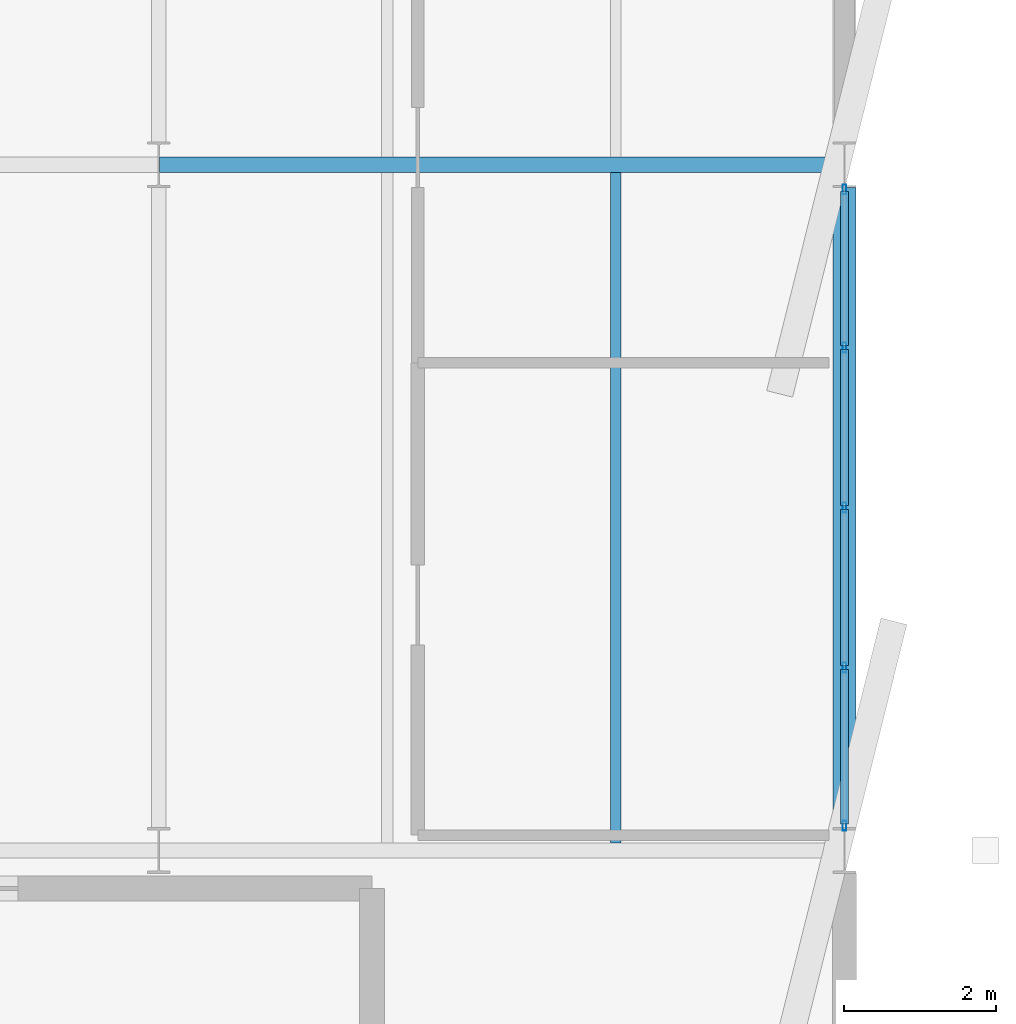
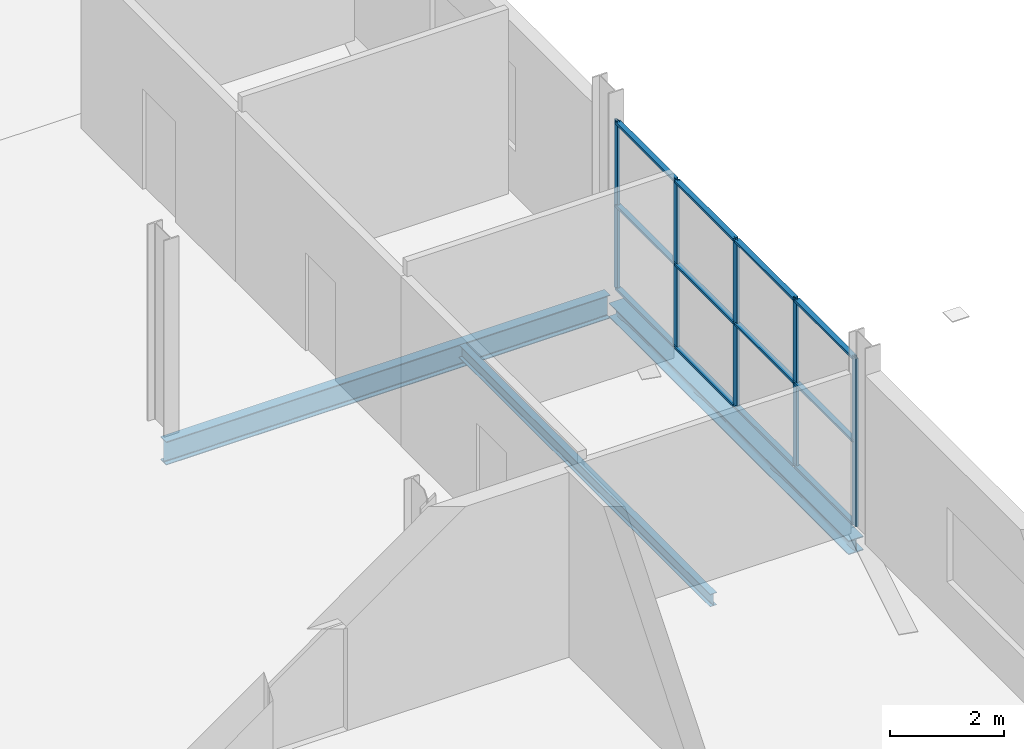
# One storey, part 51 of 88: 17 members, 3 beams, 1 element without a shape of its own.
"""IFC4 building model written with IfcOpenShell, lengths in metres."""

from ifc_helpers import new_model, si_unit, direction, frame, origin, origin_2d, place, context, subcontext, project, spatial, hollow_rectangle, i_section, extrude, material, layer, layer_set, material_profile, profile_set, type_object, element, aggregate, save


model = new_model("IFC4")

# Units and contexts
model_context = context("Model", 3, precision=1e-05, world=origin(), true_north=direction((0.0, 1.0)))
body_context = subcontext(model_context, "Body", "Model", "MODEL_VIEW")
ifc_project = project(units=[si_unit("LENGTHUNIT", "METRE"), si_unit("AREAUNIT", "SQUARE_METRE"), si_unit("VOLUMEUNIT", "CUBIC_METRE"), si_unit("PLANEANGLEUNIT", "RADIAN"), si_unit("MASSUNIT", "GRAM", prefix="KILO")], contexts=[model_context])

# Site, building, storey
site_placement = place(None, origin())
site = spatial("IfcSite", under=ifc_project, at=site_placement, CompositionType="ELEMENT")
building_placement = place(site_placement, origin())
building = spatial("IfcBuilding", under=site, at=building_placement, Name="Deido Ridge Mobility Hub", CompositionType="ELEMENT")
storey_placement = place(building_placement, frame((0.0, 0.0, 16.800048828125)))
storey = spatial("IfcBuildingStorey", under=building, at=storey_placement, Name="L04", CompositionType="ELEMENT", Elevation=16.800048828125)

# Beams
ifc_material_1 = material(Name="Steel S355J2 EN 10025-2", Category="steel")
ifc_material_profile_1 = material_profile(ifc_material_1, i_section(OverallWidth=0.199951171875, OverallDepth=0.5, WebThickness=0.01025390625, FlangeThickness=0.01611328125, FilletRadius=0.02099609375, at=origin_2d()), Name="IPE 500")
ifc_profile_set_1 = profile_set([ifc_material_profile_1], Name="Steel S355J2 EN 10025-2")
beam_type_1 = type_object("IfcBeamType", Name="BM-IPE500", PredefinedType="BEAM", material=ifc_profile_set_1)
beam_1_placement = place(storey_placement, frame((171.0078125, 27.0, -0.525146484375), z_axis=(1.0, 0.0, 0.0), x_axis=(0.0, 1.0, 0.0)))
element("IfcBeam", 1, at=beam_1_placement, inside=storey, type_object=beam_type_1, Name="Floor beam B3", PredefinedType="BEAM", context=body_context, shape_type="SweptSolid", body=[
    extrude(i_section(OverallWidth=0.199951171875, OverallDepth=0.5, WebThickness=0.01025390625, FlangeThickness=0.01611328125, FilletRadius=0.02099609375, at=origin_2d()), origin(), (0.0, 0.0, 1.0), 8.984375),
])
ifc_material_profile_2 = material_profile(ifc_material_1, i_section(OverallWidth=0.135009765625, OverallDepth=0.27001953125, WebThickness=0.006591796875, FlangeThickness=0.01025390625, FilletRadius=0.014892578125, at=origin_2d()), Name="IPE 270")
ifc_profile_set_2 = profile_set([ifc_material_profile_2], Name="Steel S355J2 EN 10025-2")
beam_type_2 = type_object("IfcBeamType", Name="JST-IPE270", PredefinedType="JOIST", material=ifc_profile_set_2)
beam_2_placement = place(storey_placement, frame((177.0, 18.10009765625, -0.41015625), z_axis=(0.0, 1.0, 0.0), x_axis=(-1.0, 0.0, 0.0)))
element("IfcBeam", 2, at=beam_2_placement, inside=storey, type_object=beam_type_2, Name="Composite joist J4", PredefinedType="JOIST", context=body_context, shape_type="SweptSolid", body=[
    extrude(i_section(OverallWidth=0.135009765625, OverallDepth=0.27001953125, WebThickness=0.006591796875, FlangeThickness=0.01025390625, FilletRadius=0.014892578125, at=origin_2d()), origin(), (0.0, 0.0, 1.0), 8.7998046875),
])

# Curtain wall, members
ifc_material_2 = material(Name="Anodised aluminium EN AW-6063 T6", Category="aluminium")
ifc_layer = layer(ifc_material_2, 0.1650390625, Name="Anodised aluminium EN AW-6063 T6")
ifc_layer_set = layer_set([ifc_layer], Name="Anodised aluminium EN AW-6063 T6")
curtain_wall_type = type_object("IfcCurtainWallType", Name="CW-UF-1", PredefinedType="USERDEFINED", material=ifc_layer_set)
curtain_wall_placement = place(storey_placement, origin())
curtain_wall = element("IfcCurtainWall", 3, at=curtain_wall_placement, inside=storey, type_object=curtain_wall_type, Name="Unitised curtain wall CW1", ObjectType="UNITISED FACADE", PredefinedType="USERDEFINED")
ifc_material_profile_3 = material_profile(ifc_material_2, hollow_rectangle(XDim=0.050048828125, YDim=0.1298828125, WallThickness=0.00390625, at=origin_2d()), Name="RHS 50x130x4")
ifc_profile_set_3 = profile_set([ifc_material_profile_3], Name="Anodised aluminium EN AW-6063 T6")
member_type_1 = type_object("IfcMemberType", Name="MEM-MUL-50X130", PredefinedType="MULLION", material=ifc_profile_set_3)
member_1_placement = place(storey_placement, frame((180.0, 18.324951171875, 0.0), z_axis=(0.0, 0.0, 1.0), x_axis=(-1.0, 0.0, 0.0)))
member_1 = element("IfcMember", 4, at=member_1_placement, type_object=member_type_1, Name="CW1 mullion 1", PredefinedType="MULLION", context=body_context, shape_type="SweptSolid", body=[
    extrude(hollow_rectangle(XDim=0.050048828125, YDim=0.1298828125, WallThickness=0.00390625, at=origin_2d()), origin(), (0.0, 0.0, 1.0), 3.599853515625),
])
member_2_placement = place(storey_placement, frame((180.0, 20.39990234375, 0.0), z_axis=(0.0, 0.0, 1.0), x_axis=(-1.0, 0.0, 0.0)))
member_2 = element("IfcMember", 5, at=member_2_placement, type_object=member_type_1, Name="CW1 mullion 2", PredefinedType="MULLION", context=body_context, shape_type="SweptSolid", body=[
    extrude(hollow_rectangle(XDim=0.050048828125, YDim=0.1298828125, WallThickness=0.00390625, at=origin_2d()), origin(), (0.0, 0.0, 1.0), 3.599853515625),
])
member_3_placement = place(storey_placement, frame((180.0, 22.5, 0.0), z_axis=(0.0, 0.0, 1.0), x_axis=(-1.0, 0.0, 0.0)))
member_3 = element("IfcMember", 6, at=member_3_placement, type_object=member_type_1, Name="CW1 mullion 3", PredefinedType="MULLION", context=body_context, shape_type="SweptSolid", body=[
    extrude(hollow_rectangle(XDim=0.050048828125, YDim=0.1298828125, WallThickness=0.00390625, at=origin_2d()), origin(), (0.0, 0.0, 1.0), 3.599853515625),
])
member_4_placement = place(storey_placement, frame((180.0, 24.60009765625, 0.0), z_axis=(0.0, 0.0, 1.0), x_axis=(-1.0, 0.0, 0.0)))
member_4 = element("IfcMember", 7, at=member_4_placement, type_object=member_type_1, Name="CW1 mullion 4", PredefinedType="MULLION", context=body_context, shape_type="SweptSolid", body=[
    extrude(hollow_rectangle(XDim=0.050048828125, YDim=0.1298828125, WallThickness=0.00390625, at=origin_2d()), origin(), (0.0, 0.0, 1.0), 3.599853515625),
])
member_5_placement = place(storey_placement, frame((180.0, 26.675048828125, 0.0), z_axis=(0.0, 0.0, 1.0), x_axis=(-1.0, 0.0, 0.0)))
member_5 = element("IfcMember", 8, at=member_5_placement, type_object=member_type_1, Name="CW1 mullion 5", PredefinedType="MULLION", context=body_context, shape_type="SweptSolid", body=[
    extrude(hollow_rectangle(XDim=0.050048828125, YDim=0.1298828125, WallThickness=0.00390625, at=origin_2d()), origin(), (0.0, 0.0, 1.0), 3.599853515625),
])
ifc_material_profile_4 = material_profile(ifc_material_2, hollow_rectangle(XDim=0.10498046875, YDim=0.050048828125, WallThickness=0.00390625, at=origin_2d()), Name="RHS 105x50x4")
ifc_profile_set_4 = profile_set([ifc_material_profile_4], Name="Anodised aluminium EN AW-6063 T6")
member_type_2 = type_object("IfcMemberType", Name="MEM-TRN-105X50", PredefinedType="USERDEFINED", material=ifc_profile_set_4)
member_6_placement = place(storey_placement, frame((180.0, 18.35009765625, 0.02490234375), z_axis=(0.0, 1.0, 0.0), x_axis=(-1.0, 0.0, 0.0)))
member_6 = element("IfcMember", 9, at=member_6_placement, type_object=member_type_2, Name="CW1 transom 1.1", ObjectType="TRANSOM", PredefinedType="USERDEFINED", context=body_context, shape_type="SweptSolid", body=[
    extrude(hollow_rectangle(XDim=0.10498046875, YDim=0.050048828125, WallThickness=0.00390625, at=origin_2d()), origin(), (0.0, 0.0, 1.0), 2.02490234375),
])
member_7_placement = place(storey_placement, frame((180.0, 18.35009765625, 1.800048828125), z_axis=(0.0, 1.0, 0.0), x_axis=(-1.0, 0.0, 0.0)))
member_7 = element("IfcMember", 10, at=member_7_placement, type_object=member_type_2, Name="CW1 transom 1.2", ObjectType="TRANSOM", PredefinedType="USERDEFINED", context=body_context, shape_type="SweptSolid", body=[
    extrude(hollow_rectangle(XDim=0.10498046875, YDim=0.050048828125, WallThickness=0.00390625, at=origin_2d()), origin(), (0.0, 0.0, 1.0), 2.02490234375),
])
member_8_placement = place(storey_placement, frame((180.0, 18.35009765625, 3.574951171875), z_axis=(0.0, 1.0, 0.0), x_axis=(-1.0, 0.0, 0.0)))
member_8 = element("IfcMember", 11, at=member_8_placement, type_object=member_type_2, Name="CW1 transom 1.3", ObjectType="TRANSOM", PredefinedType="USERDEFINED", context=body_context, shape_type="SweptSolid", body=[
    extrude(hollow_rectangle(XDim=0.10498046875, YDim=0.050048828125, WallThickness=0.00390625, at=origin_2d()), origin(), (0.0, 0.0, 1.0), 2.02490234375),
])
member_9_placement = place(storey_placement, frame((180.0, 20.425048828125, 0.02490234375), z_axis=(0.0, 1.0, 0.0), x_axis=(-1.0, 0.0, 0.0)))
member_9 = element("IfcMember", 12, at=member_9_placement, type_object=member_type_2, Name="CW1 transom 2.1", ObjectType="TRANSOM", PredefinedType="USERDEFINED", context=body_context, shape_type="SweptSolid", body=[
    extrude(hollow_rectangle(XDim=0.10498046875, YDim=0.050048828125, WallThickness=0.00390625, at=origin_2d()), origin(), (0.0, 0.0, 1.0), 2.050048828125),
])
member_10_placement = place(storey_placement, frame((180.0, 20.425048828125, 1.800048828125), z_axis=(0.0, 1.0, 0.0), x_axis=(-1.0, 0.0, 0.0)))
member_10 = element("IfcMember", 13, at=member_10_placement, type_object=member_type_2, Name="CW1 transom 2.2", ObjectType="TRANSOM", PredefinedType="USERDEFINED", context=body_context, shape_type="SweptSolid", body=[
    extrude(hollow_rectangle(XDim=0.10498046875, YDim=0.050048828125, WallThickness=0.00390625, at=origin_2d()), origin(), (0.0, 0.0, 1.0), 2.050048828125),
])
member_11_placement = place(storey_placement, frame((180.0, 20.425048828125, 3.574951171875), z_axis=(0.0, 1.0, 0.0), x_axis=(-1.0, 0.0, 0.0)))
member_11 = element("IfcMember", 14, at=member_11_placement, type_object=member_type_2, Name="CW1 transom 2.3", ObjectType="TRANSOM", PredefinedType="USERDEFINED", context=body_context, shape_type="SweptSolid", body=[
    extrude(hollow_rectangle(XDim=0.10498046875, YDim=0.050048828125, WallThickness=0.00390625, at=origin_2d()), origin(), (0.0, 0.0, 1.0), 2.050048828125),
])
member_12_placement = place(storey_placement, frame((180.0, 22.52490234375, 0.02490234375), z_axis=(0.0, 1.0, 0.0), x_axis=(-1.0, 0.0, 0.0)))
member_12 = element("IfcMember", 15, at=member_12_placement, type_object=member_type_2, Name="CW1 transom 3.1", ObjectType="TRANSOM", PredefinedType="USERDEFINED", context=body_context, shape_type="SweptSolid", body=[
    extrude(hollow_rectangle(XDim=0.10498046875, YDim=0.050048828125, WallThickness=0.00390625, at=origin_2d()), origin(), (0.0, 0.0, 1.0), 2.050048828125),
])
member_13_placement = place(storey_placement, frame((180.0, 22.52490234375, 1.800048828125), z_axis=(0.0, 1.0, 0.0), x_axis=(-1.0, 0.0, 0.0)))
member_13 = element("IfcMember", 16, at=member_13_placement, type_object=member_type_2, Name="CW1 transom 3.2", ObjectType="TRANSOM", PredefinedType="USERDEFINED", context=body_context, shape_type="SweptSolid", body=[
    extrude(hollow_rectangle(XDim=0.10498046875, YDim=0.050048828125, WallThickness=0.00390625, at=origin_2d()), origin(), (0.0, 0.0, 1.0), 2.050048828125),
])
member_14_placement = place(storey_placement, frame((180.0, 22.52490234375, 3.574951171875), z_axis=(0.0, 1.0, 0.0), x_axis=(-1.0, 0.0, 0.0)))
member_14 = element("IfcMember", 17, at=member_14_placement, type_object=member_type_2, Name="CW1 transom 3.3", ObjectType="TRANSOM", PredefinedType="USERDEFINED", context=body_context, shape_type="SweptSolid", body=[
    extrude(hollow_rectangle(XDim=0.10498046875, YDim=0.050048828125, WallThickness=0.00390625, at=origin_2d()), origin(), (0.0, 0.0, 1.0), 2.050048828125),
])
member_15_placement = place(storey_placement, frame((180.0, 24.625, 0.02490234375), z_axis=(0.0, 1.0, 0.0), x_axis=(-1.0, 0.0, 0.0)))
member_15 = element("IfcMember", 18, at=member_15_placement, type_object=member_type_2, Name="CW1 transom 4.1", ObjectType="TRANSOM", PredefinedType="USERDEFINED", context=body_context, shape_type="SweptSolid", body=[
    extrude(hollow_rectangle(XDim=0.10498046875, YDim=0.050048828125, WallThickness=0.00390625, at=origin_2d()), origin(), (0.0, 0.0, 1.0), 2.02490234375),
])
member_16_placement = place(storey_placement, frame((180.0, 24.625, 1.800048828125), z_axis=(0.0, 1.0, 0.0), x_axis=(-1.0, 0.0, 0.0)))
member_16 = element("IfcMember", 19, at=member_16_placement, type_object=member_type_2, Name="CW1 transom 4.2", ObjectType="TRANSOM", PredefinedType="USERDEFINED", context=body_context, shape_type="SweptSolid", body=[
    extrude(hollow_rectangle(XDim=0.10498046875, YDim=0.050048828125, WallThickness=0.00390625, at=origin_2d()), origin(), (0.0, 0.0, 1.0), 2.02490234375),
])
member_17_placement = place(storey_placement, frame((180.0, 24.625, 3.574951171875), z_axis=(0.0, 1.0, 0.0), x_axis=(-1.0, 0.0, 0.0)))
member_17 = element("IfcMember", 20, at=member_17_placement, type_object=member_type_2, Name="CW1 transom 4.3", ObjectType="TRANSOM", PredefinedType="USERDEFINED", context=body_context, shape_type="SweptSolid", body=[
    extrude(hollow_rectangle(XDim=0.10498046875, YDim=0.050048828125, WallThickness=0.00390625, at=origin_2d()), origin(), (0.0, 0.0, 1.0), 2.02490234375),
])
aggregate(curtain_wall, [member_1, member_2, member_3, member_4, member_5, member_6, member_7, member_8, member_9, member_10, member_11, member_12, member_13, member_14, member_15, member_16, member_17])

# Beam
ifc_material_profile_5 = material_profile(ifc_material_1, i_section(OverallWidth=0.300048828125, OverallDepth=0.300048828125, WebThickness=0.010986328125, FlangeThickness=0.01904296875, FilletRadius=0.027099609375, at=origin_2d()), Name="HEB 300")
ifc_profile_set_5 = profile_set([ifc_material_profile_5], Name="Steel S355J2 EN 10025-2")
beam_type_3 = type_object("IfcBeamType", Name="SPD-HEB300", PredefinedType="SPANDREL", material=ifc_profile_set_5)
beam_3_placement = place(storey_placement, frame((180.0, 18.300048828125, -0.425048828125), z_axis=(0.0, 1.0, 0.0), x_axis=(-1.0, 0.0, 0.0)))
element("IfcBeam", 21, at=beam_3_placement, inside=storey, type_object=beam_type_3, Name="Floor beam SP1", PredefinedType="SPANDREL", context=body_context, shape_type="SweptSolid", body=[
    extrude(i_section(OverallWidth=0.300048828125, OverallDepth=0.300048828125, WebThickness=0.010986328125, FlangeThickness=0.01904296875, FilletRadius=0.027099609375, at=origin_2d()), origin(), (0.0, 0.0, 1.0), 8.39990234375),
])

save(model, "model.ifc")
